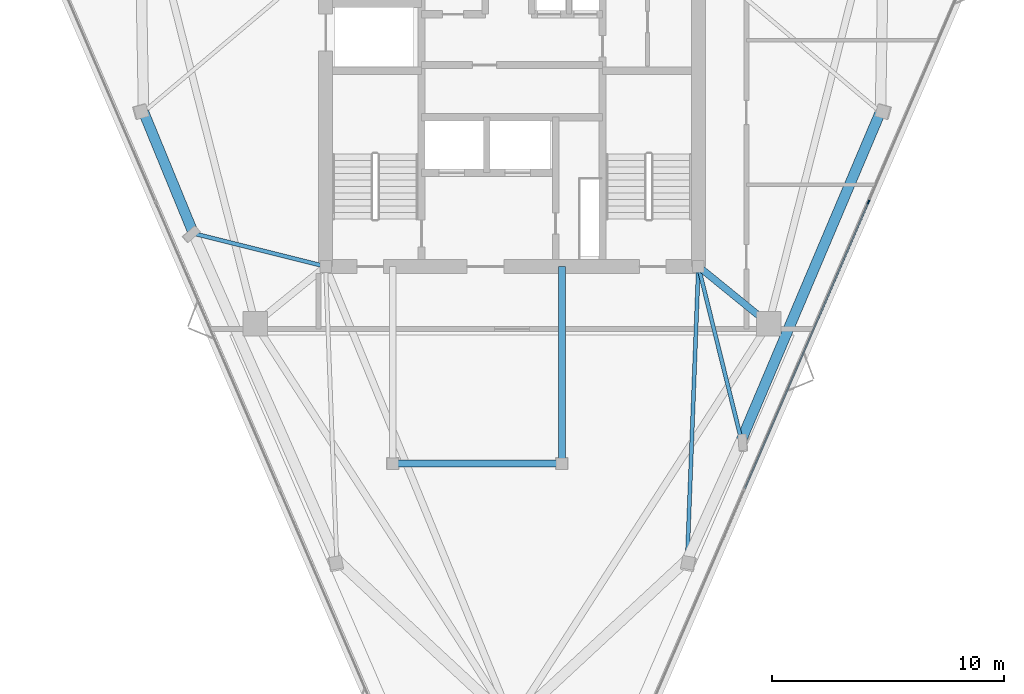
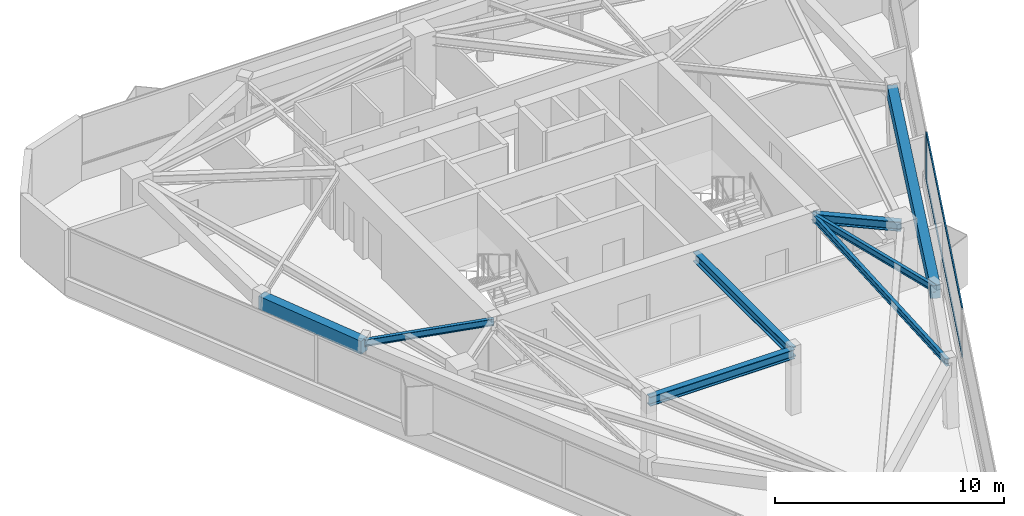
# One storey, part 3 of 9: 8 beams, 3 members, 1 element without a shape of its own.
"""IFC4 building model written with IfcOpenShell, lengths in metres."""

from ifc_helpers import new_model, si_unit, direction, frame, origin, origin_2d, place, context, subcontext, project, spatial, rectangle, i_section, extrude, material, layer, layer_set, material_profile, profile_set, type_object, element, aggregate, save


model = new_model("IFC4")

# Units and contexts
model_context = context("Model", 3, precision=1e-05, world=origin(), true_north=direction((0.0, 1.0)))
body_context = subcontext(model_context, "Body", "Model", "MODEL_VIEW")
ifc_project = project(units=[si_unit("LENGTHUNIT", "METRE"), si_unit("AREAUNIT", "SQUARE_METRE"), si_unit("VOLUMEUNIT", "CUBIC_METRE"), si_unit("PLANEANGLEUNIT", "RADIAN"), si_unit("MASSUNIT", "GRAM", prefix="KILO")], contexts=[model_context])

# Site, building, storey
site_placement = place(None, origin())
site = spatial("IfcSite", under=ifc_project, at=site_placement, CompositionType="ELEMENT")
building_placement = place(site_placement, origin())
building = spatial("IfcBuilding", under=site, at=building_placement, Name="Talyreon Biosciences Tower", CompositionType="ELEMENT")
storey_placement = place(building_placement, frame((0.0, 0.0, 291.10009765625)))
storey = spatial("IfcBuildingStorey", under=building, at=storey_placement, Name="L77", CompositionType="ELEMENT", Elevation=291.10009765625)

# Curtain wall, members
ifc_material_1 = material(Name="Thermally broken aluminium and low-E glazing", Category="aluminium")
ifc_layer = layer(ifc_material_1, 0.175048828125)
ifc_layer_set = layer_set([ifc_layer], Name="Thermally broken aluminium and low-E glazing")
curtain_wall_type = type_object("IfcCurtainWallType", Name="CurtainWall_Zone5CompLab", PredefinedType="NOTDEFINED", material=ifc_layer_set)
curtain_wall_placement = place(storey_placement, origin())
curtain_wall = element("IfcCurtainWall", 1, at=curtain_wall_placement, inside=storey, type_object=curtain_wall_type, Name="L77 Unitised Curtain Wall FCW-L77-08", PredefinedType="NOTDEFINED")
ifc_material_2 = material(Name="Anodised thermally broken aluminium", Category="aluminium")
ifc_material_profile_1 = material_profile(ifc_material_2, rectangle(XDim=0.06494140625, YDim=0.179931640625, at=origin_2d()), Name="ALUM MULLION 65x180")
ifc_profile_set_1 = profile_set([ifc_material_profile_1], Name="Anodised thermally broken aluminium")
member_type_1 = type_object("IfcMemberType", Name="CWMullion_65x180", PredefinedType="MULLION", material=ifc_profile_set_1)
member_1_placement = place(storey_placement, frame((81.39599609375, 64.1279296875, 0.809814453125), z_axis=(0.0, 0.0, 1.0), x_axis=(0.918187314575, -0.396146507437, 0.0)))
member_1 = element("IfcMember", 2, at=member_1_placement, type_object=member_type_1, Name="CW6 mullion 2", PredefinedType="MULLION", context=body_context, shape_type="SweptSolid", body=[
    extrude(rectangle(XDim=0.06494140625, YDim=0.179931640625, at=origin_2d()), origin(), (0.0, 0.0, 1.0), 2.590087890625),
])
ifc_material_profile_2 = material_profile(ifc_material_2, rectangle(XDim=0.06494140625, YDim=0.139892578125, at=origin_2d()), Name="ALUM TRANSOM 65x140")
ifc_profile_set_2 = profile_set([ifc_material_profile_2], Name="Anodised thermally broken aluminium")
member_type_2 = type_object("IfcMemberType", Name="CWTransom_65x140", PredefinedType="USERDEFINED", material=ifc_profile_set_2)
member_2_placement = place(storey_placement, frame((81.383056640625, 64.097900390625, 0.84228515625), z_axis=(-0.396140083642, -0.918190086056, 0.0), x_axis=(0.918190086056, -0.396140083642, 0.0)))
member_2 = element("IfcMember", 3, at=member_2_placement, type_object=member_type_2, Name="CW6 transom 2.1", ObjectType="TRANSOM", PredefinedType="USERDEFINED", context=body_context, shape_type="SweptSolid", body=[
    extrude(rectangle(XDim=0.06494140625, YDim=0.139892578125, at=origin_2d()), origin(), (0.0, 0.0, 1.0), 13.433349609375),
])
member_3_placement = place(storey_placement, frame((81.383056640625, 64.097900390625, 3.367431640625), z_axis=(-0.396140083642, -0.918190086056, 0.0), x_axis=(0.918190086056, -0.396140083642, 0.0)))
member_3 = element("IfcMember", 4, at=member_3_placement, type_object=member_type_2, Name="CW6 transom 2.2", ObjectType="TRANSOM", PredefinedType="USERDEFINED", context=body_context, shape_type="SweptSolid", body=[
    extrude(rectangle(XDim=0.06494140625, YDim=0.139892578125, at=origin_2d()), origin(), (0.0, 0.0, 1.0), 13.433349609375),
])
aggregate(curtain_wall, [member_1, member_2, member_3])

# Beams
ifc_material_3 = material(Name="Precast concrete C45/55", Category="concrete")
ifc_material_profile_3 = material_profile(ifc_material_3, rectangle(XDim=0.449951171875, YDim=0.699951171875, at=origin_2d()), Name="RCB 450x700")
ifc_profile_set_3 = profile_set([ifc_material_profile_3], Name="Precast concrete C45/55")
beam_type_1 = type_object("IfcBeamType", Name="ExpressedSpandrel_450x700", PredefinedType="SPANDREL", material=ifc_profile_set_3)
beam_1_placement = place(storey_placement, frame((75.906494140625, 53.85302734375, 3.0498046875), z_axis=(0.390182317073, 0.920737617046, 0.0), x_axis=(-0.920737617046, 0.390182317073, 0.0)))
element("IfcBeam", 5, at=beam_1_placement, inside=storey, type_object=beam_type_1, Name="L77 Expressed Horizontal Concrete Spandrel 03", PredefinedType="SPANDREL", context=body_context, shape_type="SweptSolid", body=[
    extrude(rectangle(XDim=0.449951171875, YDim=0.699951171875, at=origin_2d()), origin(), (0.0, 0.0, 1.0), 15.388671875),
])
beam_2_placement = place(storey_placement, frame((50.089111328125, 68.02197265625, 3.0498046875), z_axis=(0.379926748555, -0.925016575923, 0.0), x_axis=(0.925016575923, 0.379926748555, 0.0)))
element("IfcBeam", 6, at=beam_2_placement, inside=storey, type_object=beam_type_1, Name="L77 Expressed Horizontal Concrete Spandrel 10", PredefinedType="SPANDREL", context=body_context, shape_type="SweptSolid", body=[
    extrude(rectangle(XDim=0.449951171875, YDim=0.699951171875, at=origin_2d()), origin(), (0.0, 0.0, 1.0), 5.67041015625),
])
ifc_material_4 = material(Name="Steel SM355", Category="steel")
ifc_material_profile_4 = material_profile(ifc_material_4, i_section(OverallWidth=0.300048828125, OverallDepth=0.5, WebThickness=0.014404296875, FlangeThickness=0.028076171875, FilletRadius=0.027099609375, at=origin_2d()), Name="HE500B")
ifc_profile_set_4 = profile_set([ifc_material_profile_4], Name="Steel SM355")
beam_type_2 = type_object("IfcBeamType", Name="SteelBeam_HE500B", PredefinedType="BEAM", material=ifc_profile_set_4)
beam_3_placement = place(storey_placement, frame((74.050048828125, 61.35009765625, 3.14990234375), z_axis=(0.775755154013, -0.631034025249, 0.0), x_axis=(0.631034025249, 0.775755154013, 0.0)))
element("IfcBeam", 7, at=beam_3_placement, inside=storey, type_object=beam_type_2, Name="L77 Radial Primary Girder 2", PredefinedType="BEAM", context=body_context, shape_type="SweptSolid", body=[
    extrude(i_section(OverallWidth=0.300048828125, OverallDepth=0.5, WebThickness=0.014404296875, FlangeThickness=0.028076171875, FilletRadius=0.027099609375, at=origin_2d()), origin(), (0.0, 0.0, 1.0), 3.913818359375),
])
beam_4_placement = place(storey_placement, frame((60.85009765625, 52.840087890625, 3.14990234375), z_axis=(1.0, 0.0, 0.0), x_axis=(0.0, 1.0, 0.0)))
element("IfcBeam", 8, at=beam_4_placement, inside=storey, type_object=beam_type_2, Name="L77 Crown Shaft Spine Girder S", PredefinedType="BEAM", context=body_context, shape_type="SweptSolid", body=[
    extrude(i_section(OverallWidth=0.300048828125, OverallDepth=0.5, WebThickness=0.014404296875, FlangeThickness=0.028076171875, FilletRadius=0.027099609375, at=origin_2d()), origin(), (0.0, 0.0, 1.0), 7.2998046875),
])
beam_5_placement = place(storey_placement, frame((68.14990234375, 52.840087890625, 3.14990234375), z_axis=(0.0, 1.0, 0.0), x_axis=(-1.0, 0.0, 0.0)))
element("IfcBeam", 9, at=beam_5_placement, inside=storey, type_object=beam_type_2, Name="L77 Crown Shaft Tie Girder E", PredefinedType="BEAM", context=body_context, shape_type="SweptSolid", body=[
    extrude(i_section(OverallWidth=0.300048828125, OverallDepth=0.5, WebThickness=0.014404296875, FlangeThickness=0.028076171875, FilletRadius=0.027099609375, at=origin_2d()), origin(), (0.0, 0.0, 1.0), 8.510009765625),
])
ifc_material_profile_5 = material_profile(ifc_material_4, i_section(OverallWidth=0.169921875, OverallDepth=0.360107421875, WebThickness=0.008056640625, FlangeThickness=0.0126953125, FilletRadius=0.01806640625, at=origin_2d()), Name="IPE360")
ifc_profile_set_5 = profile_set([ifc_material_profile_5], Name="Steel SM355")
beam_type_3 = type_object("IfcBeamType", Name="SteelJoist_IPE360", PredefinedType="JOIST", material=ifc_profile_set_5)
beam_6_placement = place(storey_placement, frame((74.050048828125, 61.35009765625, 3.219970703125), z_axis=(-0.037972901486, -0.99927876929, 0.0), x_axis=(0.99927876929, -0.037972901486, 0.0)))
element("IfcBeam", 10, at=beam_6_placement, inside=storey, type_object=beam_type_3, Name="L77 Radial Composite Floor Joist PC-SE1", PredefinedType="JOIST", context=body_context, shape_type="SweptSolid", body=[
    extrude(i_section(OverallWidth=0.169921875, OverallDepth=0.360107421875, WebThickness=0.008056640625, FlangeThickness=0.0126953125, FilletRadius=0.01806640625, at=origin_2d()), origin(), (0.0, 0.0, 1.0), 12.672119140625),
])
beam_7_placement = place(storey_placement, frame((74.050048828125, 61.35009765625, 3.219970703125), z_axis=(0.240363217336, -0.970683019194, 0.0), x_axis=(0.970683019194, 0.240363217336, 0.0)))
element("IfcBeam", 11, at=beam_7_placement, inside=storey, type_object=beam_type_3, Name="L77 Radial Composite Floor Joist PL-SE", PredefinedType="JOIST", context=body_context, shape_type="SweptSolid", body=[
    extrude(i_section(OverallWidth=0.169921875, OverallDepth=0.360107421875, WebThickness=0.008056640625, FlangeThickness=0.0126953125, FilletRadius=0.01806640625, at=origin_2d()), origin(), (0.0, 0.0, 1.0), 7.723388671875),
])
beam_8_placement = place(storey_placement, frame((57.949951171875, 61.35009765625, 3.219970703125), z_axis=(-0.970137617009, 0.242555156747, 0.0), x_axis=(-0.242555156747, -0.970137617009, 0.0)))
element("IfcBeam", 12, at=beam_8_placement, inside=storey, type_object=beam_type_3, Name="L77 Radial Composite Floor Joist PL-SW", PredefinedType="JOIST", context=body_context, shape_type="SweptSolid", body=[
    extrude(i_section(OverallWidth=0.169921875, OverallDepth=0.360107421875, WebThickness=0.008056640625, FlangeThickness=0.0126953125, FilletRadius=0.01806640625, at=origin_2d()), origin(), (0.0, 0.0, 1.0), 5.882080078125),
])

save(model, "model.ifc")
